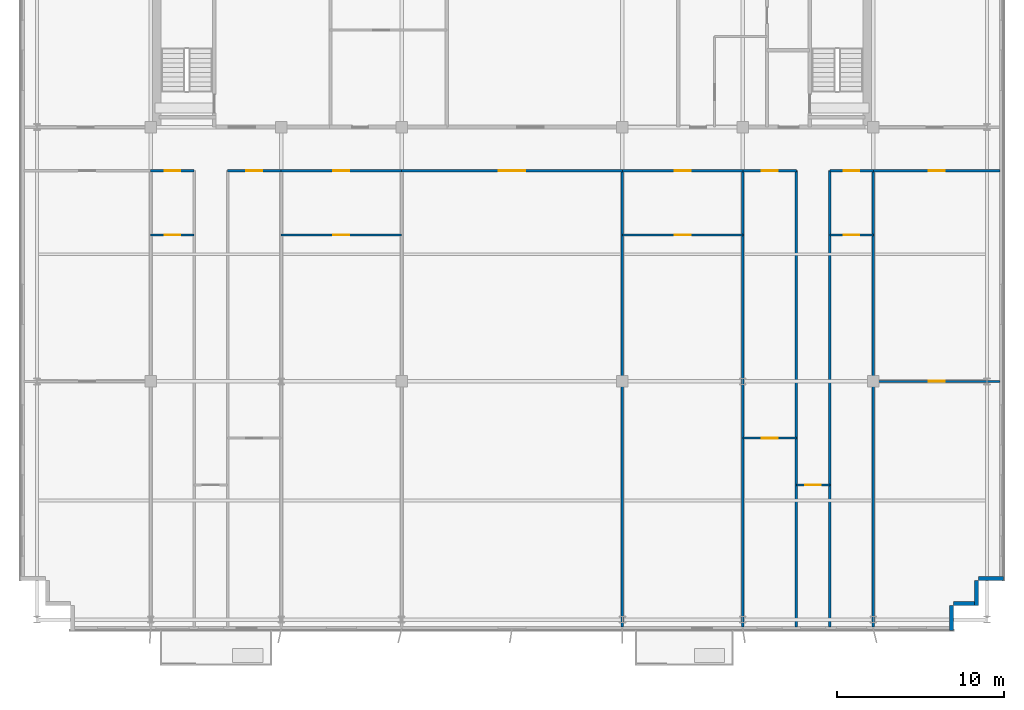
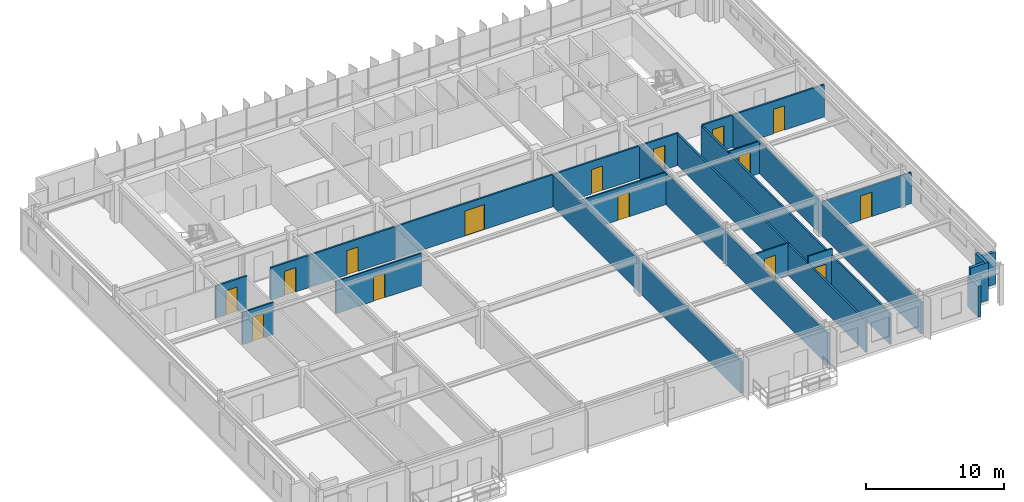
# One storey, part 15 of 20: 24 walls, 15 doors, 15 openings.
"""IFC4 building model written with IfcOpenShell, lengths in metres."""

from ifc_helpers import new_model, si_unit, direction, frame, frame_2d, origin, place, context, subcontext, project, spatial, rectangle, extrude, source, transform, mapped, material, layer, layer_set, type_object, element, fill, save


model = new_model("IFC4")

# Units and contexts
model_context = context("Model", 3, precision=1e-05, world=origin(), true_north=direction((0.0, 1.0)))
body_context = subcontext(model_context, "Body", "Model", "MODEL_VIEW")
ifc_project = project(units=[si_unit("LENGTHUNIT", "METRE"), si_unit("AREAUNIT", "SQUARE_METRE"), si_unit("VOLUMEUNIT", "CUBIC_METRE"), si_unit("PLANEANGLEUNIT", "RADIAN"), si_unit("MASSUNIT", "GRAM", prefix="KILO")], contexts=[model_context])

# Site, building, storey
site_placement = place(None, origin())
site = spatial("IfcSite", under=ifc_project, at=site_placement, CompositionType="ELEMENT")
building_placement = place(site_placement, origin())
building = spatial("IfcBuilding", under=site, at=building_placement, Name="Trelvane Seafront Commons", CompositionType="ELEMENT")
storey_placement = place(building_placement, frame((0.0, 0.0, 150.10009765625)))
storey = spatial("IfcBuildingStorey", under=building, at=storey_placement, Name="L39", CompositionType="ELEMENT", Elevation=150.10009765625)

# Walls
ifc_material_1 = material(Name="Precast concrete C40/50", Category="concrete")
ifc_layer_1 = layer(ifc_material_1, 0.239990234375, Name="ARCH-WALL-EXT240")
ifc_layer_set_1 = layer_set([ifc_layer_1], Name="Precast concrete C40/50")
wall_type_1 = type_object("IfcWallType", Name="ARCH-WALL-EXT240", PredefinedType="SOLIDWALL", material=ifc_layer_set_1)
wall_1_placement = place(storey_placement, frame((66.60009765625, 6.419921875, 0.0), z_axis=(0.0, 0.0, 1.0), x_axis=(-1.0, 0.0, 0.0)))
element("IfcWall", 1, at=wall_1_placement, inside=storey, type_object=wall_type_1, Name="EW-L39-00773", PredefinedType="SOLIDWALL", context=body_context, shape_type="SweptSolid", body=[
    extrude(rectangle(XDim=1.5, YDim=0.239990234375, at=frame_2d((0.75, 0.0))), origin(), (0.0, 0.0, 1.0), 2.849853515625),
])
for number, where, z_axis, x_axis, name in (
    (2, (64.97998046875, 6.300048828125, 0.0), (0.0, 0.0, 1.0), (0.0, -1.0, 0.0), "EW-L39-00774"),
    (3, (65.10009765625, 4.919921875, 0.0), (0.0, 0.0, 1.0), (-1.0, 0.0, 0.0), "EW-L39-00775"),
):
    element("IfcWall", number, at=place(storey_placement, frame(where, z_axis=z_axis, x_axis=x_axis)), inside=storey, type_object=wall_type_1, Name=name, PredefinedType="SOLIDWALL", context=body_context, shape_type="SweptSolid", body=[
        extrude(rectangle(XDim=1.5, YDim=0.239990234375, at=frame_2d((0.75, 0.0))), origin(), (0.0, 0.0, 1.0), 3.349853515625),
    ])
wall_2_placement = place(storey_placement, frame((63.47998046875, 4.800048828125, 0.0), z_axis=(0.0, 0.0, 1.0), x_axis=(0.0, -1.0, 0.0)))
element("IfcWall", 4, at=wall_2_placement, inside=storey, type_object=wall_type_1, Name="EW-L39-00776", PredefinedType="SOLIDWALL", context=body_context, shape_type="SweptSolid", body=[
    extrude(rectangle(XDim=1.5, YDim=0.239990234375, at=frame_2d((0.75, 0.0))), origin(), (0.0, 0.0, 1.0), 2.75),
])

# Wall, opening, door
ifc_material_2 = material(Name="Gypsum Drywall Acoustic Partition")
ifc_layer_2 = layer(ifc_material_2, 0.1201171875, Name="ARCH-WALL-PART120")
ifc_layer_set_2 = layer_set([ifc_layer_2], Name="Gypsum Drywall Acoustic Partition")
wall_type_2 = type_object("IfcWallType", Name="ARCH-WALL-PART120", PredefinedType="PARTITIONING", material=ifc_layer_set_2)
wall_3_placement = place(storey_placement, frame((15.60009765625, 26.949951171875, 0.0), z_axis=(0.0, 0.0, 1.0), x_axis=(1.0, 0.0, 0.0)))
wall_3 = element("IfcWall", 5, at=wall_3_placement, inside=storey, type_object=wall_type_2, Name="W-L39-U2-DIV-050", PredefinedType="PARTITIONING", context=body_context, shape_type="SweptSolid", body=[
    extrude(rectangle(XDim=2.599853515625, YDim=0.1201171875, at=frame_2d((1.2998046875, 0.0))), origin(), (0.0, 0.0, 1.0), 2.849853515625),
])
opening_1_placement = place(wall_3_placement, frame((0.824951171875, 0.0, 0.0)))
opening_1 = element("IfcOpeningElement", 6, at=opening_1_placement, cuts=wall_3, Name="Opening D-L39-27", PredefinedType="OPENING", context=body_context, shape_type="SweptSolid", body=[
    extrude(rectangle(XDim=0.949951171875, YDim=2.14990234375, at=frame_2d((0.47509765625, 1.074951171875))), frame((0.0, 0.070068359375, 0.0), z_axis=(0.0, -1.0, 0.0), x_axis=(1.0, 0.0, 0.0)), (0.0, 0.0, 1.0), 0.14013671875),
])
ifc_material_3 = material(Name="Acoustic timber door leaf", Category="wood")
door_type_1 = type_object("IfcDoorType", Name="ARCH-DR-INT950", OperationType="NOTDEFINED", PredefinedType="DOOR", material=ifc_material_3)
shared_shape_1 = source(origin(), body_context, "Body", "SweptSolid", [
    extrude(rectangle(XDim=0.949951171875, YDim=2.14990234375, at=frame_2d((0.47509765625, 1.074951171875))), frame((0.0, 0.02490234375, 0.0), z_axis=(0.0, -1.0, 0.0), x_axis=(1.0, 0.0, 0.0)), (0.0, 0.0, 1.0), 0.050048828125),
])
door_1_placement = place(opening_1_placement, origin())
door_1 = element("IfcDoor", 7, at=door_1_placement, inside=storey, type_object=door_type_1, Name="L39 Door 27", OperationType="SINGLE_SWING_LEFT", OverallHeight=2.14990234375, OverallWidth=0.949951171875, PredefinedType="DOOR", context=body_context, shape_type="MappedRepresentation", body=[
    mapped(shared_shape_1, transform((0.0, 0.0, 0.0), x_axis=(1.0, 0.0, 0.0), y_axis=(0.0, 1.0, 0.0), z_axis=(0.0, 0.0, 1.0), scale=1.0)),
])
fill(opening_1, door_1)

wall_4_placement = place(storey_placement, frame((23.39990234375, 26.949951171875, 0.0), z_axis=(0.0, 0.0, 1.0), x_axis=(1.0, 0.0, 0.0)))
wall_4 = element("IfcWall", 8, at=wall_4_placement, inside=storey, type_object=wall_type_2, Name="W-L39-U5-DIV-057", PredefinedType="PARTITIONING", context=body_context, shape_type="SweptSolid", body=[
    extrude(rectangle(XDim=7.2001953125, YDim=0.1201171875, at=frame_2d((3.60009765625, 0.0))), origin(), (0.0, 0.0, 1.0), 2.849853515625),
])
opening_2_placement = place(wall_4_placement, frame((3.125, 0.0, 0.0)))
opening_2 = element("IfcOpeningElement", 9, at=opening_2_placement, cuts=wall_4, Name="Opening D-L39-32", PredefinedType="OPENING", context=body_context, shape_type="SweptSolid", body=[
    extrude(rectangle(XDim=0.949951171875, YDim=2.14990234375, at=frame_2d((0.47509765625, 1.074951171875))), frame((0.0, 0.070068359375, 0.0), z_axis=(0.0, -1.0, 0.0), x_axis=(1.0, 0.0, 0.0)), (0.0, 0.0, 1.0), 0.14013671875),
])
door_2_placement = place(opening_2_placement, origin())
door_2 = element("IfcDoor", 10, at=door_2_placement, inside=storey, type_object=door_type_1, Name="L39 Door 32", OperationType="SINGLE_SWING_RIGHT", OverallHeight=2.14990234375, OverallWidth=0.949951171875, PredefinedType="DOOR", context=body_context, shape_type="MappedRepresentation", body=[
    mapped(shared_shape_1, transform((0.0, 0.0, 0.0), x_axis=(1.0, 0.0, 0.0), y_axis=(0.0, 1.0, 0.0), z_axis=(0.0, 0.0, 1.0), scale=1.0)),
])
fill(opening_2, door_2)

wall_5_placement = place(storey_placement, frame((43.800048828125, 26.949951171875, 0.0), z_axis=(0.0, 0.0, 1.0), x_axis=(1.0, 0.0, 0.0)))
wall_5 = element("IfcWall", 11, at=wall_5_placement, inside=storey, type_object=wall_type_2, Name="W-L39-U7-DIV-060", PredefinedType="PARTITIONING", context=body_context, shape_type="SweptSolid", body=[
    extrude(rectangle(XDim=7.199951171875, YDim=0.1201171875, at=frame_2d((3.60009765625, 0.0))), origin(), (0.0, 0.0, 1.0), 2.849853515625),
])
opening_3_placement = place(wall_5_placement, frame((3.125, 0.0, 0.0)))
opening_3 = element("IfcOpeningElement", 12, at=opening_3_placement, cuts=wall_5, Name="Opening D-L39-35", PredefinedType="OPENING", context=body_context, shape_type="SweptSolid", body=[
    extrude(rectangle(XDim=0.949951171875, YDim=2.14990234375, at=frame_2d((0.47509765625, 1.074951171875))), frame((0.0, 0.070068359375, 0.0), z_axis=(0.0, -1.0, 0.0), x_axis=(1.0, 0.0, 0.0)), (0.0, 0.0, 1.0), 0.14013671875),
])
door_3_placement = place(opening_3_placement, origin())
door_3 = element("IfcDoor", 13, at=door_3_placement, inside=storey, type_object=door_type_1, Name="L39 Door 35", OperationType="SINGLE_SWING_LEFT", OverallHeight=2.14990234375, OverallWidth=0.949951171875, PredefinedType="DOOR", context=body_context, shape_type="MappedRepresentation", body=[
    mapped(shared_shape_1, transform((0.0, 0.0, 0.0), x_axis=(1.0, 0.0, 0.0), y_axis=(0.0, 1.0, 0.0), z_axis=(0.0, 0.0, 1.0), scale=1.0)),
])
fill(opening_3, door_3)

wall_6_placement = place(storey_placement, frame((51.0, 14.800048828125, 0.0), z_axis=(0.0, 0.0, 1.0), x_axis=(1.0, 0.0, 0.0)))
wall_6 = element("IfcWall", 14, at=wall_6_placement, inside=storey, type_object=wall_type_2, Name="W-L39-U8-DIV-062", PredefinedType="PARTITIONING", context=body_context, shape_type="SweptSolid", body=[
    extrude(rectangle(XDim=3.199951171875, YDim=0.1201171875, at=frame_2d((1.60009765625, 0.0))), origin(), (0.0, 0.0, 1.0), 2.849853515625),
])
opening_4_placement = place(wall_6_placement, frame((1.125, 0.0, 0.0)))
opening_4 = element("IfcOpeningElement", 15, at=opening_4_placement, cuts=wall_6, Name="Opening D-L39-37", PredefinedType="OPENING", context=body_context, shape_type="SweptSolid", body=[
    extrude(rectangle(XDim=0.949951171875, YDim=2.14990234375, at=frame_2d((0.47509765625, 1.074951171875))), frame((0.0, 0.070068359375, 0.0), z_axis=(0.0, -1.0, 0.0), x_axis=(1.0, 0.0, 0.0)), (0.0, 0.0, 1.0), 0.14013671875),
])
door_4_placement = place(opening_4_placement, origin())
door_4 = element("IfcDoor", 16, at=door_4_placement, inside=storey, type_object=door_type_1, Name="L39 Door 37", OperationType="SINGLE_SWING_LEFT", OverallHeight=2.14990234375, OverallWidth=0.949951171875, PredefinedType="DOOR", context=body_context, shape_type="MappedRepresentation", body=[
    mapped(shared_shape_1, transform((0.0, 0.0, 0.0), x_axis=(1.0, 0.0, 0.0), y_axis=(0.0, 1.0, 0.0), z_axis=(0.0, 0.0, 1.0), scale=1.0)),
])
fill(opening_4, door_4)

wall_7_placement = place(storey_placement, frame((54.199951171875, 12.0, 0.0), z_axis=(0.0, 0.0, 1.0), x_axis=(1.0, 0.0, 0.0)))
wall_7 = element("IfcWall", 17, at=wall_7_placement, inside=storey, type_object=wall_type_2, Name="W-L39-ARM-END-9-065", PredefinedType="PARTITIONING", context=body_context, shape_type="SweptSolid", body=[
    extrude(rectangle(XDim=2.0, YDim=0.1201171875, at=frame_2d((1.0, 0.0))), origin(), (0.0, 0.0, 1.0), 3.349853515625),
])
opening_5_placement = place(wall_7_placement, frame((0.52001953125, 0.0, 0.0)))
opening_5 = element("IfcOpeningElement", 18, at=opening_5_placement, cuts=wall_7, Name="Opening D-L39-38", PredefinedType="OPENING", context=body_context, shape_type="SweptSolid", body=[
    extrude(rectangle(XDim=0.949951171875, YDim=2.14990234375, at=frame_2d((0.47509765625, 1.074951171875))), frame((0.0, 0.070068359375, 0.0), z_axis=(0.0, -1.0, 0.0), x_axis=(1.0, 0.0, 0.0)), (0.0, 0.0, 1.0), 0.14013671875),
])
door_5_placement = place(opening_5_placement, origin())
door_5 = element("IfcDoor", 19, at=door_5_placement, inside=storey, type_object=door_type_1, Name="L39 Door 38", OperationType="SINGLE_SWING_RIGHT", OverallHeight=2.14990234375, OverallWidth=0.949951171875, PredefinedType="DOOR", context=body_context, shape_type="MappedRepresentation", body=[
    mapped(shared_shape_1, transform((0.0, 0.0, 0.0), x_axis=(1.0, 0.0, 0.0), y_axis=(0.0, 1.0, 0.0), z_axis=(0.0, 0.0, 1.0), scale=1.0)),
])
fill(opening_5, door_5)

wall_8_placement = place(storey_placement, frame((56.199951171875, 26.949951171875, 0.0), z_axis=(0.0, 0.0, 1.0), x_axis=(1.0, 0.0, 0.0)))
wall_8 = element("IfcWall", 20, at=wall_8_placement, inside=storey, type_object=wall_type_2, Name="W-L39-U10-DIV-067", PredefinedType="PARTITIONING", context=body_context, shape_type="SweptSolid", body=[
    extrude(rectangle(XDim=2.60009765625, YDim=0.1201171875, at=frame_2d((1.300048828125, 0.0))), origin(), (0.0, 0.0, 1.0), 2.849853515625),
])
opening_6_placement = place(wall_8_placement, frame((0.824951171875, 0.0, 0.0)))
opening_6 = element("IfcOpeningElement", 21, at=opening_6_placement, cuts=wall_8, Name="Opening D-L39-40", PredefinedType="OPENING", context=body_context, shape_type="SweptSolid", body=[
    extrude(rectangle(XDim=0.949951171875, YDim=2.14990234375, at=frame_2d((0.47509765625, 1.074951171875))), frame((0.0, 0.070068359375, 0.0), z_axis=(0.0, -1.0, 0.0), x_axis=(1.0, 0.0, 0.0)), (0.0, 0.0, 1.0), 0.14013671875),
])
door_6_placement = place(opening_6_placement, origin())
door_6 = element("IfcDoor", 22, at=door_6_placement, inside=storey, type_object=door_type_1, Name="L39 Door 40", OperationType="SINGLE_SWING_RIGHT", OverallHeight=2.14990234375, OverallWidth=0.949951171875, PredefinedType="DOOR", context=body_context, shape_type="MappedRepresentation", body=[
    mapped(shared_shape_1, transform((0.0, 0.0, 0.0), x_axis=(1.0, 0.0, 0.0), y_axis=(0.0, 1.0, 0.0), z_axis=(0.0, 0.0, 1.0), scale=1.0)),
])
fill(opening_6, door_6)

wall_9_placement = place(storey_placement, frame((58.800048828125, 18.199951171875, 0.0), z_axis=(0.0, 0.0, 1.0), x_axis=(1.0, 0.0, 0.0)))
wall_9 = element("IfcWall", 23, at=wall_9_placement, inside=storey, type_object=wall_type_2, Name="W-L39-U11-DIV-069", PredefinedType="PARTITIONING", context=body_context, shape_type="SweptSolid", body=[
    extrude(rectangle(XDim=7.574951171875, YDim=0.1201171875, at=frame_2d((3.78759765625, 0.0))), origin(), (0.0, 0.0, 1.0), 2.75),
])
opening_7_placement = place(wall_9_placement, frame((3.31298828125, 0.0, 0.0)))
opening_7 = element("IfcOpeningElement", 24, at=opening_7_placement, cuts=wall_9, Name="Opening D-L39-42", PredefinedType="OPENING", context=body_context, shape_type="SweptSolid", body=[
    extrude(rectangle(XDim=0.949951171875, YDim=2.14990234375, at=frame_2d((0.47509765625, 1.074951171875))), frame((0.0, 0.070068359375, 0.0), z_axis=(0.0, -1.0, 0.0), x_axis=(1.0, 0.0, 0.0)), (0.0, 0.0, 1.0), 0.14013671875),
])
door_7_placement = place(opening_7_placement, origin())
door_7 = element("IfcDoor", 25, at=door_7_placement, inside=storey, type_object=door_type_1, Name="L39 Door 42", OperationType="SINGLE_SWING_RIGHT", OverallHeight=2.14990234375, OverallWidth=0.949951171875, PredefinedType="DOOR", context=body_context, shape_type="MappedRepresentation", body=[
    mapped(shared_shape_1, transform((0.0, 0.0, 0.0), x_axis=(1.0, 0.0, 0.0), y_axis=(0.0, 1.0, 0.0), z_axis=(0.0, 0.0, 1.0), scale=1.0)),
])
fill(opening_7, door_7)

# Walls
ifc_layer_3 = layer(ifc_material_2, 0.14990234375, Name="ARCH-WALL-PART150")
ifc_layer_set_3 = layer_set([ifc_layer_3], Name="Gypsum Drywall Acoustic Partition")
wall_type_3 = type_object("IfcWallType", Name="ARCH-WALL-PART150", PredefinedType="PARTITIONING", material=ifc_layer_set_3)
for number, where, z_axis, x_axis, name in (
    (26, (43.800048828125, 3.52490234375, 0.0), (0.0, 0.0, 1.0), (0.0, 1.0, 0.0), "W-L39-PW-6-044"),
    (27, (51.0, 3.52490234375, 0.0), (0.0, 0.0, 1.0), (0.0, 1.0, 0.0), "W-L39-PW-7-045"),
    (28, (58.800048828125, 3.52490234375, 0.0), (0.0, 0.0, 1.0), (0.0, 1.0, 0.0), "W-L39-PW-10-046"),
):
    element("IfcWall", number, at=place(storey_placement, frame(where, z_axis=z_axis, x_axis=x_axis)), inside=storey, type_object=wall_type_3, Name=name, PredefinedType="PARTITIONING", context=body_context, shape_type="SweptSolid", body=[
        extrude(rectangle(XDim=27.275146484375, YDim=0.14990234375, at=frame_2d((13.6376953125, 0.0))), origin(), (0.0, 0.0, 1.0), 2.849853515625),
    ])

# Wall, opening, door
wall_10_placement = place(storey_placement, frame((15.60009765625, 30.800048828125, 0.0), z_axis=(0.0, 0.0, 1.0), x_axis=(1.0, 0.0, 0.0)))
wall_10 = element("IfcWall", 29, at=wall_10_placement, inside=storey, type_object=wall_type_3, Name="W-L39-CS-BAY-2-049", PredefinedType="PARTITIONING", context=body_context, shape_type="SweptSolid", body=[
    extrude(rectangle(XDim=2.599853515625, YDim=0.14990234375, at=frame_2d((1.2998046875, 0.0))), origin(), (0.0, 0.0, 1.0), 2.849853515625),
])
opening_8_placement = place(wall_10_placement, frame((0.824951171875, 0.0, 0.0)))
opening_8 = element("IfcOpeningElement", 30, at=opening_8_placement, cuts=wall_10, Name="Opening FD-L39-26", PredefinedType="OPENING", context=body_context, shape_type="SweptSolid", body=[
    extrude(rectangle(XDim=0.949951171875, YDim=2.14990234375, at=frame_2d((0.47509765625, 1.074951171875))), frame((0.0, 0.0849609375, 0.0), z_axis=(0.0, -1.0, 0.0), x_axis=(1.0, 0.0, 0.0)), (0.0, 0.0, 1.0), 0.169921875),
])
ifc_material_4 = material(Name="Powder-coated aluminium frame", Category="aluminium")
door_type_2 = type_object("IfcDoorType", Name="ARCH-DR-FD60-950", OperationType="NOTDEFINED", PredefinedType="DOOR", material=ifc_material_4)
door_8_placement = place(opening_8_placement, origin())
door_8 = element("IfcDoor", 31, at=door_8_placement, inside=storey, type_object=door_type_2, Name="L39 Bay 02 Entrance Door", OperationType="SINGLE_SWING_RIGHT", OverallHeight=2.14990234375, OverallWidth=0.949951171875, PredefinedType="DOOR", context=body_context, shape_type="MappedRepresentation", body=[
    mapped(shared_shape_1, transform((0.0, 0.0, 0.0), x_axis=(1.0, 0.0, 0.0), y_axis=(0.0, 1.0, 0.0), z_axis=(0.0, 0.0, 1.0), scale=1.0)),
])
fill(opening_8, door_8)

wall_11_placement = place(storey_placement, frame((20.199951171875, 30.800048828125, 0.0), z_axis=(0.0, 0.0, 1.0), x_axis=(1.0, 0.0, 0.0)))
wall_11 = element("IfcWall", 32, at=wall_11_placement, inside=storey, type_object=wall_type_3, Name="W-L39-CS-BAY-4-054", PredefinedType="PARTITIONING", context=body_context, shape_type="SweptSolid", body=[
    extrude(rectangle(XDim=3.199951171875, YDim=0.14990234375, at=frame_2d((1.60009765625, 0.0))), origin(), (0.0, 0.0, 1.0), 2.849853515625),
])
opening_9_placement = place(wall_11_placement, frame((1.125, 0.0, 0.0)))
opening_9 = element("IfcOpeningElement", 33, at=opening_9_placement, cuts=wall_11, Name="Opening FD-L39-29", PredefinedType="OPENING", context=body_context, shape_type="SweptSolid", body=[
    extrude(rectangle(XDim=0.949951171875, YDim=2.14990234375, at=frame_2d((0.47509765625, 1.074951171875))), frame((0.0, 0.0849609375, 0.0), z_axis=(0.0, -1.0, 0.0), x_axis=(1.0, 0.0, 0.0)), (0.0, 0.0, 1.0), 0.169921875),
])
door_9_placement = place(opening_9_placement, origin())
door_9 = element("IfcDoor", 34, at=door_9_placement, inside=storey, type_object=door_type_2, Name="L39 Bay 04 Entrance Door", OperationType="SINGLE_SWING_LEFT", OverallHeight=2.14990234375, OverallWidth=0.949951171875, PredefinedType="DOOR", context=body_context, shape_type="MappedRepresentation", body=[
    mapped(shared_shape_1, transform((0.0, 0.0, 0.0), x_axis=(1.0, 0.0, 0.0), y_axis=(0.0, 1.0, 0.0), z_axis=(0.0, 0.0, 1.0), scale=1.0)),
])
fill(opening_9, door_9)

wall_12_placement = place(storey_placement, frame((23.39990234375, 30.800048828125, 0.0), z_axis=(0.0, 0.0, 1.0), x_axis=(1.0, 0.0, 0.0)))
wall_12 = element("IfcWall", 35, at=wall_12_placement, inside=storey, type_object=wall_type_3, Name="W-L39-CS-BAY-5-056", PredefinedType="PARTITIONING", context=body_context, shape_type="SweptSolid", body=[
    extrude(rectangle(XDim=7.2001953125, YDim=0.14990234375, at=frame_2d((3.60009765625, 0.0))), origin(), (0.0, 0.0, 1.0), 2.849853515625),
])
opening_10_placement = place(wall_12_placement, frame((3.125, 0.0, 0.0)))
opening_10 = element("IfcOpeningElement", 36, at=opening_10_placement, cuts=wall_12, Name="Opening FD-L39-31", PredefinedType="OPENING", context=body_context, shape_type="SweptSolid", body=[
    extrude(rectangle(XDim=0.949951171875, YDim=2.14990234375, at=frame_2d((0.47509765625, 1.074951171875))), frame((0.0, 0.0849609375, 0.0), z_axis=(0.0, -1.0, 0.0), x_axis=(1.0, 0.0, 0.0)), (0.0, 0.0, 1.0), 0.169921875),
])
door_10_placement = place(opening_10_placement, origin())
door_10 = element("IfcDoor", 37, at=door_10_placement, inside=storey, type_object=door_type_2, Name="L39 Bay 05 Entrance Door", OperationType="SINGLE_SWING_LEFT", OverallHeight=2.14990234375, OverallWidth=0.949951171875, PredefinedType="DOOR", context=body_context, shape_type="MappedRepresentation", body=[
    mapped(shared_shape_1, transform((0.0, 0.0, 0.0), x_axis=(1.0, 0.0, 0.0), y_axis=(0.0, 1.0, 0.0), z_axis=(0.0, 0.0, 1.0), scale=1.0)),
])
fill(opening_10, door_10)

wall_13_placement = place(storey_placement, frame((30.60009765625, 30.800048828125, 0.0), z_axis=(0.0, 0.0, 1.0), x_axis=(1.0, 0.0, 0.0)))
wall_13 = element("IfcWall", 38, at=wall_13_placement, inside=storey, type_object=wall_type_3, Name="W-L39-CS-BAY-6-058", PredefinedType="PARTITIONING", context=body_context, shape_type="SweptSolid", body=[
    extrude(rectangle(XDim=13.199951171875, YDim=0.14990234375, at=frame_2d((6.60009765625, 0.0))), origin(), (0.0, 0.0, 1.0), 2.849853515625),
])
opening_11_placement = place(wall_13_placement, frame((5.800048828125, 0.0, 0.0)))
opening_11 = element("IfcOpeningElement", 39, at=opening_11_placement, cuts=wall_13, Name="Opening D-L39-33", PredefinedType="OPENING", context=body_context, shape_type="SweptSolid", body=[
    extrude(rectangle(XDim=1.60009765625, YDim=2.199951171875, at=frame_2d((0.800048828125, 1.10009765625))), frame((0.0, 0.0849609375, 0.0), z_axis=(0.0, -1.0, 0.0), x_axis=(1.0, 0.0, 0.0)), (0.0, 0.0, 1.0), 0.169921875),
])
door_type_3 = type_object("IfcDoorType", Name="ARCH-DR-GLZ1600", OperationType="DOUBLE_DOOR_SINGLE_SWING", PredefinedType="DOOR", material=ifc_material_3)
shared_shape_2 = source(origin(), body_context, "Body", "SweptSolid", [
    extrude(rectangle(XDim=1.60009765625, YDim=2.199951171875, at=frame_2d((0.800048828125, 1.10009765625))), frame((0.0, 0.02490234375, 0.0), z_axis=(0.0, -1.0, 0.0), x_axis=(1.0, 0.0, 0.0)), (0.0, 0.0, 1.0), 0.050048828125),
])
door_11_placement = place(opening_11_placement, origin())
door_11 = element("IfcDoor", 40, at=door_11_placement, inside=storey, type_object=door_type_3, Name="L39 Commons Lounge 06 Door", OperationType="DOUBLE_DOOR_SINGLE_SWING", OverallHeight=2.199951171875, OverallWidth=1.60009765625, PredefinedType="DOOR", context=body_context, shape_type="MappedRepresentation", body=[
    mapped(shared_shape_2, transform((0.0, 0.0, 0.0), x_axis=(1.0, 0.0, 0.0), y_axis=(0.0, 1.0, 0.0), z_axis=(0.0, 0.0, 1.0), scale=1.0)),
])
fill(opening_11, door_11)

wall_14_placement = place(storey_placement, frame((43.800048828125, 30.800048828125, 0.0), z_axis=(0.0, 0.0, 1.0), x_axis=(1.0, 0.0, 0.0)))
wall_14 = element("IfcWall", 41, at=wall_14_placement, inside=storey, type_object=wall_type_3, Name="W-L39-CS-BAY-7-059", PredefinedType="PARTITIONING", context=body_context, shape_type="SweptSolid", body=[
    extrude(rectangle(XDim=7.199951171875, YDim=0.14990234375, at=frame_2d((3.60009765625, 0.0))), origin(), (0.0, 0.0, 1.0), 2.849853515625),
])
opening_12_placement = place(wall_14_placement, frame((3.125, 0.0, 0.0)))
opening_12 = element("IfcOpeningElement", 42, at=opening_12_placement, cuts=wall_14, Name="Opening FD-L39-34", PredefinedType="OPENING", context=body_context, shape_type="SweptSolid", body=[
    extrude(rectangle(XDim=0.949951171875, YDim=2.14990234375, at=frame_2d((0.47509765625, 1.074951171875))), frame((0.0, 0.0849609375, 0.0), z_axis=(0.0, -1.0, 0.0), x_axis=(1.0, 0.0, 0.0)), (0.0, 0.0, 1.0), 0.169921875),
])
door_12_placement = place(opening_12_placement, origin())
door_12 = element("IfcDoor", 43, at=door_12_placement, inside=storey, type_object=door_type_2, Name="L39 Bay 07 Entrance Door", OperationType="SINGLE_SWING_RIGHT", OverallHeight=2.14990234375, OverallWidth=0.949951171875, PredefinedType="DOOR", context=body_context, shape_type="MappedRepresentation", body=[
    mapped(shared_shape_1, transform((0.0, 0.0, 0.0), x_axis=(1.0, 0.0, 0.0), y_axis=(0.0, 1.0, 0.0), z_axis=(0.0, 0.0, 1.0), scale=1.0)),
])
fill(opening_12, door_12)

wall_15_placement = place(storey_placement, frame((51.0, 30.800048828125, 0.0), z_axis=(0.0, 0.0, 1.0), x_axis=(1.0, 0.0, 0.0)))
wall_15 = element("IfcWall", 44, at=wall_15_placement, inside=storey, type_object=wall_type_3, Name="W-L39-CS-BAY-8-061", PredefinedType="PARTITIONING", context=body_context, shape_type="SweptSolid", body=[
    extrude(rectangle(XDim=3.199951171875, YDim=0.14990234375, at=frame_2d((1.60009765625, 0.0))), origin(), (0.0, 0.0, 1.0), 2.849853515625),
])
opening_13_placement = place(wall_15_placement, frame((1.125, 0.0, 0.0)))
opening_13 = element("IfcOpeningElement", 45, at=opening_13_placement, cuts=wall_15, Name="Opening FD-L39-36", PredefinedType="OPENING", context=body_context, shape_type="SweptSolid", body=[
    extrude(rectangle(XDim=0.949951171875, YDim=2.14990234375, at=frame_2d((0.47509765625, 1.074951171875))), frame((0.0, 0.0849609375, 0.0), z_axis=(0.0, -1.0, 0.0), x_axis=(1.0, 0.0, 0.0)), (0.0, 0.0, 1.0), 0.169921875),
])
door_13_placement = place(opening_13_placement, origin())
door_13 = element("IfcDoor", 46, at=door_13_placement, inside=storey, type_object=door_type_2, Name="L39 Bay 08 Entrance Door", OperationType="SINGLE_SWING_RIGHT", OverallHeight=2.14990234375, OverallWidth=0.949951171875, PredefinedType="DOOR", context=body_context, shape_type="MappedRepresentation", body=[
    mapped(shared_shape_1, transform((0.0, 0.0, 0.0), x_axis=(1.0, 0.0, 0.0), y_axis=(0.0, 1.0, 0.0), z_axis=(0.0, 0.0, 1.0), scale=1.0)),
])
fill(opening_13, door_13)

# Walls
for number, where, z_axis, x_axis, name in (
    (47, (54.199951171875, 3.52490234375, 0.0), (0.0, 0.0, 1.0), (0.0, 1.0, 0.0), "W-L39-ARM-W-9-063"),
    (48, (56.199951171875, 3.52490234375, 0.0), (0.0, 0.0, 1.0), (0.0, 1.0, 0.0), "W-L39-ARM-E-9-064"),
):
    element("IfcWall", number, at=place(storey_placement, frame(where, z_axis=z_axis, x_axis=x_axis)), inside=storey, type_object=wall_type_3, Name=name, PredefinedType="PARTITIONING", context=body_context, shape_type="SweptSolid", body=[
        extrude(rectangle(XDim=27.275146484375, YDim=0.14990234375, at=frame_2d((13.6376953125, 0.0))), origin(), (0.0, 0.0, 1.0), 2.75),
    ])

# Wall, opening, door
wall_16_placement = place(storey_placement, frame((56.199951171875, 30.800048828125, 0.0), z_axis=(0.0, 0.0, 1.0), x_axis=(1.0, 0.0, 0.0)))
wall_16 = element("IfcWall", 49, at=wall_16_placement, inside=storey, type_object=wall_type_3, Name="W-L39-CS-BAY-10-066", PredefinedType="PARTITIONING", context=body_context, shape_type="SweptSolid", body=[
    extrude(rectangle(XDim=2.60009765625, YDim=0.14990234375, at=frame_2d((1.300048828125, 0.0))), origin(), (0.0, 0.0, 1.0), 2.849853515625),
])
opening_14_placement = place(wall_16_placement, frame((0.824951171875, 0.0, 0.0)))
opening_14 = element("IfcOpeningElement", 50, at=opening_14_placement, cuts=wall_16, Name="Opening FD-L39-39", PredefinedType="OPENING", context=body_context, shape_type="SweptSolid", body=[
    extrude(rectangle(XDim=0.949951171875, YDim=2.14990234375, at=frame_2d((0.47509765625, 1.074951171875))), frame((0.0, 0.0849609375, 0.0), z_axis=(0.0, -1.0, 0.0), x_axis=(1.0, 0.0, 0.0)), (0.0, 0.0, 1.0), 0.169921875),
])
door_14_placement = place(opening_14_placement, origin())
door_14 = element("IfcDoor", 51, at=door_14_placement, inside=storey, type_object=door_type_2, Name="L39 Bay 10 Entrance Door", OperationType="SINGLE_SWING_LEFT", OverallHeight=2.14990234375, OverallWidth=0.949951171875, PredefinedType="DOOR", context=body_context, shape_type="MappedRepresentation", body=[
    mapped(shared_shape_1, transform((0.0, 0.0, 0.0), x_axis=(1.0, 0.0, 0.0), y_axis=(0.0, 1.0, 0.0), z_axis=(0.0, 0.0, 1.0), scale=1.0)),
])
fill(opening_14, door_14)

wall_17_placement = place(storey_placement, frame((58.800048828125, 30.800048828125, 0.0), z_axis=(0.0, 0.0, 1.0), x_axis=(1.0, 0.0, 0.0)))
wall_17 = element("IfcWall", 52, at=wall_17_placement, inside=storey, type_object=wall_type_3, Name="W-L39-CS-BAY-11-068", PredefinedType="PARTITIONING", context=body_context, shape_type="SweptSolid", body=[
    extrude(rectangle(XDim=7.574951171875, YDim=0.14990234375, at=frame_2d((3.78759765625, 0.0))), origin(), (0.0, 0.0, 1.0), 2.849853515625),
])
opening_15_placement = place(wall_17_placement, frame((3.31298828125, 0.0, 0.0)))
opening_15 = element("IfcOpeningElement", 53, at=opening_15_placement, cuts=wall_17, Name="Opening FD-L39-41", PredefinedType="OPENING", context=body_context, shape_type="SweptSolid", body=[
    extrude(rectangle(XDim=0.949951171875, YDim=2.14990234375, at=frame_2d((0.47509765625, 1.074951171875))), frame((0.0, 0.0849609375, 0.0), z_axis=(0.0, -1.0, 0.0), x_axis=(1.0, 0.0, 0.0)), (0.0, 0.0, 1.0), 0.169921875),
])
door_15_placement = place(opening_15_placement, origin())
door_15 = element("IfcDoor", 54, at=door_15_placement, inside=storey, type_object=door_type_2, Name="L39 Bay 11 Entrance Door", OperationType="SINGLE_SWING_LEFT", OverallHeight=2.14990234375, OverallWidth=0.949951171875, PredefinedType="DOOR", context=body_context, shape_type="MappedRepresentation", body=[
    mapped(shared_shape_1, transform((0.0, 0.0, 0.0), x_axis=(1.0, 0.0, 0.0), y_axis=(0.0, 1.0, 0.0), z_axis=(0.0, 0.0, 1.0), scale=1.0)),
])
fill(opening_15, door_15)

save(model, "model.ifc")
